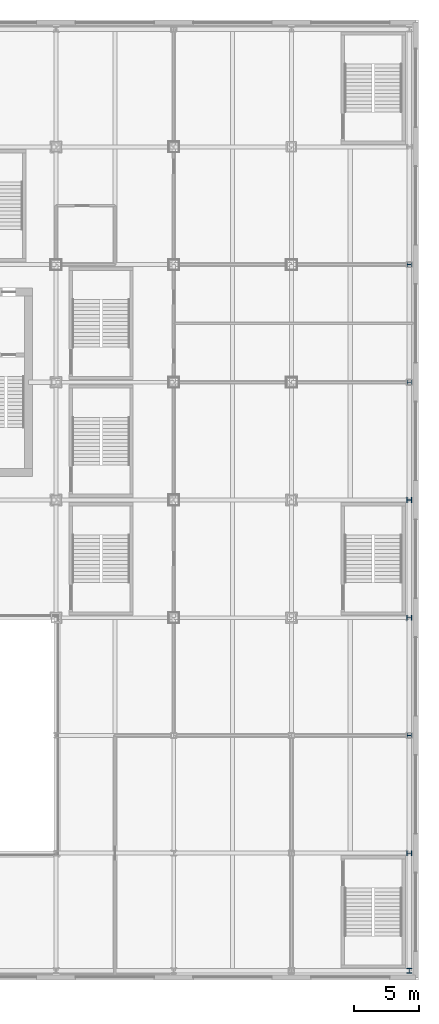
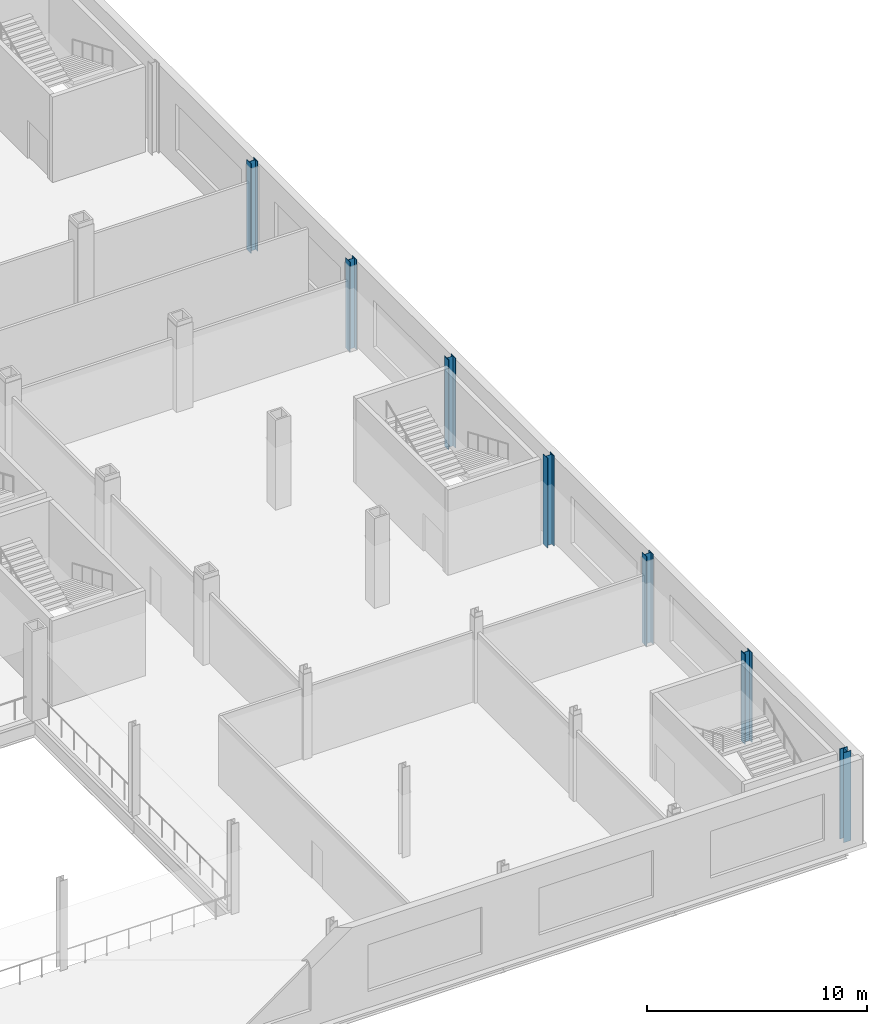
# One storey, part 5 of 31: 7 columns.
"""IFC4 building model written with IfcOpenShell, lengths in metres."""

from ifc_helpers import new_model, si_unit, direction, frame, origin, origin_2d, place, context, subcontext, project, spatial, i_section, extrude, material, material_profile, profile_set, type_object, element, save


model = new_model("IFC4")

# Units and contexts
model_context = context("Model", 3, precision=1e-05, world=origin(), true_north=direction((0.0, 1.0)))
body_context = subcontext(model_context, "Body", "Model", "MODEL_VIEW")
ifc_project = project(units=[si_unit("LENGTHUNIT", "METRE"), si_unit("AREAUNIT", "SQUARE_METRE"), si_unit("VOLUMEUNIT", "CUBIC_METRE"), si_unit("PLANEANGLEUNIT", "RADIAN"), si_unit("MASSUNIT", "GRAM", prefix="KILO")], contexts=[model_context])

# Site, building, storey
site_placement = place(None, origin())
site = spatial("IfcSite", under=ifc_project, at=site_placement, CompositionType="ELEMENT")
building_placement = place(site_placement, origin())
building = spatial("IfcBuilding", under=site, at=building_placement, Name="Loomwork Tower", CompositionType="ELEMENT")
storey_placement = place(building_placement, frame((0.0, 0.0, 11.0)))
storey = spatial("IfcBuildingStorey", under=building, at=storey_placement, Name="L02", CompositionType="ELEMENT", Elevation=11.0)

# Columns
ifc_material = material(Name="Steel ASTM A992", Category="steel")
ifc_material_profile = material_profile(ifc_material, i_section(OverallWidth=0.393798828125, OverallDepth=0.3759765625, WebThickness=0.017333984375, FlangeThickness=0.027587890625, at=origin_2d()), Name="W14x145")
ifc_profile_set = profile_set([ifc_material_profile], Name="Steel ASTM A992")
column_type = type_object("IfcColumnType", Name="PODIUM COLUMN W14x145", PredefinedType="COLUMN", material=ifc_profile_set)
for number, where, z_axis, x_axis, name in (
    (1, (63.0, -27.0, 0.0), (0.0, 0.0, 1.0), (1.0, 0.0, 0.0), "Podium Column A/9 L02"),
    (2, (63.0, -18.0, 0.0), (0.0, 0.0, 1.0), (0.0, 1.0, 0.0), "Podium Column B/9 L02"),
    (3, (63.0, -9.0, 0.0), (0.0, 0.0, 1.0), (0.0, 1.0, 0.0), "Podium Column C/9 L02"),
    (4, (63.0, 0.0, 0.0), (0.0, 0.0, 1.0), (0.0, 1.0, 0.0), "Podium Column D/9 L02"),
    (5, (63.0, 9.0, 0.0), (0.0, 0.0, 1.0), (0.0, 1.0, 0.0), "Podium Column E/9 L02"),
    (6, (63.0, 18.0, 0.0), (0.0, 0.0, 1.0), (0.0, 1.0, 0.0), "Podium Column F/9 L02"),
    (7, (63.0, 27.0, 0.0), (0.0, 0.0, 1.0), (0.0, 1.0, 0.0), "Podium Column G/9 L02"),
):
    element("IfcColumn", number, at=place(storey_placement, frame(where, z_axis=z_axis, x_axis=x_axis)), inside=storey, type_object=column_type, Name=name, PredefinedType="COLUMN", context=body_context, shape_type="SweptSolid", body=[
        extrude(i_section(OverallWidth=0.393798828125, OverallDepth=0.3759765625, WebThickness=0.017333984375, FlangeThickness=0.027587890625, at=origin_2d()), origin(), (0.0, 0.0, 1.0), 5.0),
    ])

save(model, "model.ifc")
